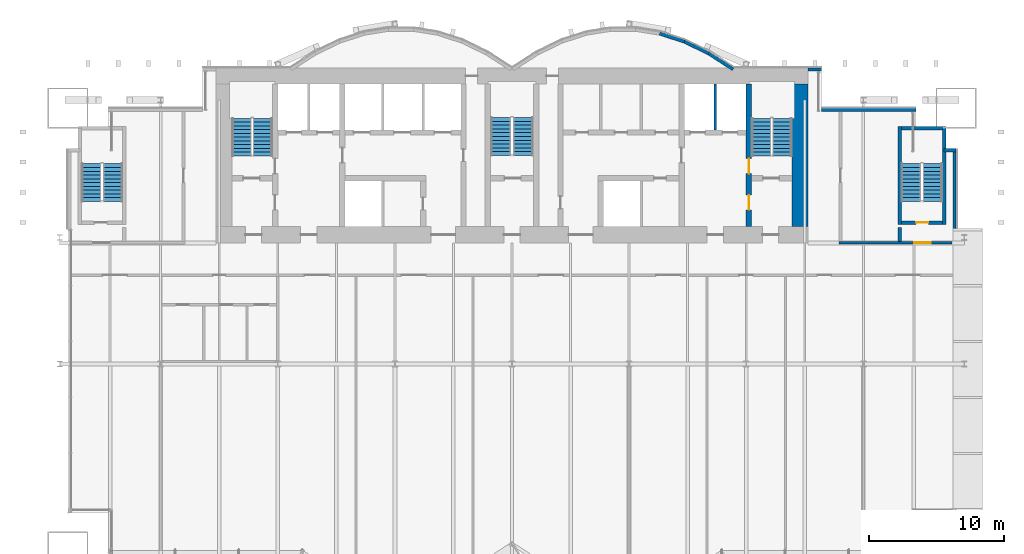
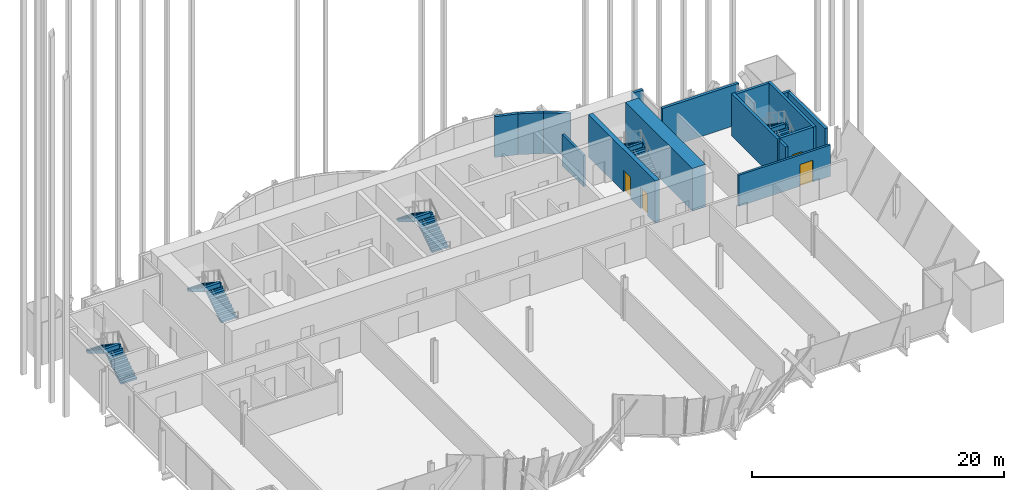
# One storey, part 20 of 22: 16 walls, 10 stair flights, 4 doors, 4 openings, 5 elements without a shape of their own.
"""IFC4 building model written with IfcOpenShell, lengths in metres."""

from ifc_helpers import new_model, si_unit, direction, frame, frame_2d, origin, place, context, subcontext, project, spatial, polyline, rectangle, outline, extrude, material, layer, layer_set, layer_usage, type_object, element, fill, aggregate, save


model = new_model("IFC4")

# Units and contexts
model_context = context("Model", 3, precision=1e-05, world=origin(), true_north=direction((0.0, 1.0)))
body_context = subcontext(model_context, "Body", "Model", "MODEL_VIEW")
ifc_project = project(units=[si_unit("LENGTHUNIT", "METRE"), si_unit("AREAUNIT", "SQUARE_METRE"), si_unit("VOLUMEUNIT", "CUBIC_METRE"), si_unit("PLANEANGLEUNIT", "RADIAN"), si_unit("MASSUNIT", "GRAM", prefix="KILO")], contexts=[model_context])

# Site, building, storey
site_placement = place(None, origin())
site = spatial("IfcSite", under=ifc_project, at=site_placement, CompositionType="ELEMENT")
building_placement = place(site_placement, origin())
building = spatial("IfcBuilding", under=site, at=building_placement, Name="Bicima Exchange Tower", CompositionType="ELEMENT")
storey_placement = place(building_placement, frame((0.0, 0.0, 89.89990234375)))
storey = spatial("IfcBuildingStorey", under=building, at=storey_placement, Name="L18", CompositionType="ELEMENT", Elevation=89.89990234375)

# Wall
ifc_material_1 = material(Name="Gypsum board partition")
ifc_layer_1 = layer(ifc_material_1, 0.199951171875)
ifc_layer_set_1 = layer_set([ifc_layer_1], Name="Gypsum board partition")
wall_type_1 = type_object("IfcWallType", Name="Fire-rated gypsum partition 200 EI120", PredefinedType="PARTITIONING", material=ifc_layer_set_1)
wall_1_placement = place(storey_placement, frame((15.10009765625, -4.60009765625, 0.0), z_axis=(0.0, 0.0, 1.0), x_axis=(0.0, 1.0, 0.0)))
element("IfcWall", 1, at=wall_1_placement, inside=storey, type_object=wall_type_1, Name="partition wall 24", PredefinedType="PARTITIONING", context=body_context, shape_type="SweptSolid", body=[
    extrude(rectangle(XDim=3.400146484375, YDim=0.199951171875, at=frame_2d((1.7001953125, 0.0))), origin(), (0.0, 0.0, 1.0), 3.018310546875),
])

# Wall, opening, door
ifc_layer_2 = layer(ifc_material_1, 0.199951171875)
ifc_layer_set_2 = layer_set([ifc_layer_2], Name="Gypsum board partition")
wall_type_2 = type_object("IfcWallType", Name="Fire-rated gypsum partition 200 EI60", PredefinedType="PARTITIONING", material=ifc_layer_set_2)
wall_2_placement = place(storey_placement, frame((24.300048828125, -13.0, 0.0), z_axis=(0.0, 0.0, 1.0), x_axis=(1.0, 0.0, 0.0)))
wall_2 = element("IfcWall", 2, at=wall_2_placement, inside=storey, type_object=wall_type_2, Name="partition wall 5", PredefinedType="PARTITIONING", context=body_context, shape_type="SweptSolid", body=[
    extrude(rectangle(XDim=8.39990234375, YDim=0.199951171875, at=frame_2d((4.199951171875, 0.0))), origin(), (0.0, 0.0, 1.0), 3.018310546875),
])
opening_1_placement = place(wall_2_placement, frame((5.60009765625, 0.0, 0.0)))
opening_1 = element("IfcOpeningElement", 3, at=opening_1_placement, cuts=wall_2, Name="Opening L18-003", PredefinedType="OPENING", context=body_context, shape_type="SweptSolid", body=[
    extrude(rectangle(XDim=1.199951171875, YDim=2.10009765625, at=frame_2d((0.60009765625, 1.050048828125))), frame((0.0, 0.11181640625, 0.0), z_axis=(0.0, -1.0, 0.0), x_axis=(1.0, 0.0, 0.0)), (0.0, 0.0, 1.0), 0.223876953125),
])
ifc_material_2 = material(Name="Steel fire door leaf", Category="steel")
door_type_1 = type_object("IfcDoorType", Name="Door 1200 swing FD30S", OperationType="SINGLE_SWING_LEFT", PredefinedType="DOOR", material=ifc_material_2)
door_1_placement = place(opening_1_placement, origin())
door_1 = element("IfcDoor", 4, at=door_1_placement, inside=storey, type_object=door_type_1, Name="Door", OperationType="SINGLE_SWING_RIGHT", OverallHeight=2.10009765625, OverallWidth=1.199951171875, PredefinedType="DOOR", context=body_context, shape_type="SweptSolid", body=[
    extrude(rectangle(XDim=1.199951171875, YDim=2.10009765625, at=frame_2d((0.60009765625, 1.050048828125))), frame((0.0, 0.02490234375, 0.0), z_axis=(0.0, -1.0, 0.0), x_axis=(1.0, 0.0, 0.0)), (0.0, 0.0, 1.0), 0.050048828125),
])
fill(opening_1, door_1)

# Walls
ifc_material_3 = material(Name="Concrete C60/75", Category="concrete")
ifc_layer_3 = layer(ifc_material_3, 1.199951171875)
ifc_layer_set_3 = layer_set([ifc_layer_3], Name="Concrete C60/75")
wall_type_3 = type_object("IfcWallType", Name="RC core wall 1200 C60/75", PredefinedType="SHEAR", material=ifc_layer_set_3)
wall_3_placement = place(storey_placement, frame((21.39990234375, -11.800048828125, 0.0), z_axis=(0.0, 0.0, 1.0), x_axis=(0.0, 1.0, 0.0)))
element("IfcWall", 5, at=wall_3_placement, inside=storey, type_object=wall_type_3, Name="Core wall east", PredefinedType="SHEAR", context=body_context, shape_type="SweptSolid", body=[
    extrude(rectangle(XDim=10.60009765625, YDim=1.199951171875, at=frame_2d((5.300048828125, 0.0))), origin(), (0.0, 0.0, 1.0), 4.10009765625),
])
ifc_material_4 = material(Name="Concrete C50/60", Category="concrete")
ifc_layer_4 = layer(ifc_material_4, 0.25)
ifc_layer_set_4 = layer_set([ifc_layer_4], Name="Concrete C50/60")
wall_type_4 = type_object("IfcWallType", Name="RC core wall 250 C50/60", PredefinedType="SHEAR", material=ifc_layer_set_4)
wall_4_placement = place(storey_placement, frame((28.800048828125, -12.89990234375, 0.0), z_axis=(0.0, 0.0, 1.0), x_axis=(0.0, 1.0, 0.0)))
element("IfcWall", 6, at=wall_4_placement, inside=storey, type_object=wall_type_4, Name="stair wall 27", PredefinedType="SHEAR", context=body_context, shape_type="SweptSolid", body=[
    extrude(rectangle(XDim=1.0498046875, YDim=0.25, at=frame_2d((0.52490234375, 0.0))), origin(), (0.0, 0.0, 1.0), 4.10009765625),
])

# Wall, openings, doors
ifc_layer_5 = layer(ifc_material_4, 0.39990234375)
ifc_layer_set_5 = layer_set([ifc_layer_5], Name="Concrete C50/60")
wall_type_5 = type_object("IfcWallType", Name="RC core wall 400 C50/60", PredefinedType="SHEAR", material=ifc_layer_set_5)
wall_5_placement = place(storey_placement, frame((17.60009765625, -11.800048828125, 0.0), z_axis=(0.0, 0.0, 1.0), x_axis=(0.0, 1.0, 0.0)))
wall_5 = element("IfcWall", 7, at=wall_5_placement, inside=storey, type_object=wall_type_5, Name="stair wall 25", PredefinedType="SHEAR", context=body_context, shape_type="SweptSolid", body=[
    extrude(rectangle(XDim=10.60009765625, YDim=0.39990234375, at=frame_2d((5.300048828125, 0.0))), origin(), (0.0, 0.0, 1.0), 4.10009765625),
])
opening_2_placement = place(wall_5_placement, frame((1.25, 0.0, 0.0)))
opening_2 = element("IfcOpeningElement", 8, at=opening_2_placement, cuts=wall_5, Name="Opening L18-C05", PredefinedType="OPENING", context=body_context, shape_type="SweptSolid", body=[
    extrude(rectangle(XDim=1.10009765625, YDim=2.10009765625, at=frame_2d((0.550048828125, 1.050048828125))), frame((0.0, 0.2119140625, 0.0), z_axis=(0.0, -1.0, 0.0), x_axis=(1.0, 0.0, 0.0)), (0.0, 0.0, 1.0), 0.423828125),
])
opening_3_placement = place(wall_5_placement, frame((3.949951171875, 0.0, 0.0)))
opening_3 = element("IfcOpeningElement", 9, at=opening_3_placement, cuts=wall_5, Name="Opening L18-C08", PredefinedType="OPENING", context=body_context, shape_type="SweptSolid", body=[
    extrude(rectangle(XDim=1.10009765625, YDim=2.10009765625, at=frame_2d((0.550048828125, 1.050048828125))), frame((0.0, 0.2119140625, 0.0), z_axis=(0.0, -1.0, 0.0), x_axis=(1.0, 0.0, 0.0)), (0.0, 0.0, 1.0), 0.423828125),
])
door_type_2 = type_object("IfcDoorType", Name="Door 1100 swing FD60S", OperationType="SINGLE_SWING_LEFT", PredefinedType="DOOR", material=ifc_material_2)
door_2_placement = place(opening_2_placement, origin())
door_2 = element("IfcDoor", 10, at=door_2_placement, inside=storey, type_object=door_type_2, Name="Core door", OperationType="SINGLE_SWING_LEFT", OverallHeight=2.10009765625, OverallWidth=1.10009765625, PredefinedType="DOOR", context=body_context, shape_type="SweptSolid", body=[
    extrude(rectangle(XDim=1.10009765625, YDim=2.10009765625, at=frame_2d((0.550048828125, 1.050048828125))), frame((0.0, 0.02490234375, 0.0), z_axis=(0.0, -1.0, 0.0), x_axis=(1.0, 0.0, 0.0)), (0.0, 0.0, 1.0), 0.050048828125),
])
fill(opening_2, door_2)
door_3_placement = place(opening_3_placement, origin())
door_3 = element("IfcDoor", 11, at=door_3_placement, inside=storey, type_object=door_type_2, Name="Core door", OperationType="SINGLE_SWING_RIGHT", OverallHeight=2.10009765625, OverallWidth=1.10009765625, PredefinedType="DOOR", context=body_context, shape_type="SweptSolid", body=[
    extrude(rectangle(XDim=1.10009765625, YDim=2.10009765625, at=frame_2d((0.550048828125, 1.050048828125))), frame((0.0, 0.02490234375, 0.0), z_axis=(0.0, -1.0, 0.0), x_axis=(1.0, 0.0, 0.0)), (0.0, 0.0, 1.0), 0.050048828125),
])
fill(opening_3, door_3)

# Walls
ifc_layer_6 = layer(ifc_material_4, 0.25)
ifc_layer_set_6 = layer_set([ifc_layer_6], Name="Concrete C50/60")
wall_type_6 = type_object("IfcWallType", Name="RC stair enclosure wall 250 C50/60", PredefinedType="SHEAR", material=ifc_layer_set_6)
for number, where, z_axis, x_axis, name in (
    (12, (28.800048828125, -11.625, 0.0), (0.0, 0.0, 1.0), (0.0, 1.0, 0.0), "East end exit stair wall W"),
    (13, (32.10009765625, -11.625, 0.0), (0.0, 0.0, 1.0), (0.0, 1.0, 0.0), "East end exit stair wall E"),
):
    element("IfcWall", number, at=place(storey_placement, frame(where, z_axis=z_axis, x_axis=x_axis)), inside=storey, type_object=wall_type_6, Name=name, PredefinedType="SHEAR", context=body_context, shape_type="SweptSolid", body=[
        extrude(rectangle(XDim=7.25, YDim=0.25, at=frame_2d((3.625, 0.0))), origin(), (0.0, 0.0, 1.0), 4.10009765625),
    ])

# Wall, opening, door
wall_6_placement = place(storey_placement, frame((28.925048828125, -11.5, 0.0), z_axis=(0.0, 0.0, 1.0), x_axis=(1.0, 0.0, 0.0)))
wall_6 = element("IfcWall", 14, at=wall_6_placement, inside=storey, type_object=wall_type_6, Name="East end exit stair wall S", PredefinedType="SHEAR", context=body_context, shape_type="SweptSolid", body=[
    extrude(rectangle(XDim=3.050048828125, YDim=0.25, at=frame_2d((1.52490234375, 0.0))), origin(), (0.0, 0.0, 1.0), 4.10009765625),
])
opening_4_placement = place(wall_6_placement, frame((1.10009765625, 0.0, 0.0)))
opening_4 = element("IfcOpeningElement", 15, at=opening_4_placement, cuts=wall_6, Name="Opening L18-004", PredefinedType="OPENING", context=body_context, shape_type="SweptSolid", body=[
    extrude(rectangle(XDim=0.89990234375, YDim=2.10009765625, at=frame_2d((0.449951171875, 1.050048828125))), frame((0.0, 0.136962890625, 0.0), z_axis=(0.0, -1.0, 0.0), x_axis=(1.0, 0.0, 0.0)), (0.0, 0.0, 1.0), 0.27392578125),
])
door_type_3 = type_object("IfcDoorType", Name="Door 900 swing FD60S", OperationType="SINGLE_SWING_LEFT", PredefinedType="DOOR", material=ifc_material_2)
door_4_placement = place(opening_4_placement, origin())
door_4 = element("IfcDoor", 16, at=door_4_placement, inside=storey, type_object=door_type_3, Name="Door", OperationType="SINGLE_SWING_LEFT", OverallHeight=2.10009765625, OverallWidth=0.89990234375, PredefinedType="DOOR", context=body_context, shape_type="SweptSolid", body=[
    extrude(rectangle(XDim=0.89990234375, YDim=2.10009765625, at=frame_2d((0.449951171875, 1.050048828125))), frame((0.0, 0.02490234375, 0.0), z_axis=(0.0, -1.0, 0.0), x_axis=(1.0, 0.0, 0.0)), (0.0, 0.0, 1.0), 0.050048828125),
])
fill(opening_4, door_4)

# Walls
wall_7_placement = place(storey_placement, frame((28.925048828125, -4.5, 0.0), z_axis=(0.0, 0.0, 1.0), x_axis=(1.0, 0.0, 0.0)))
element("IfcWall", 17, at=wall_7_placement, inside=storey, type_object=wall_type_6, Name="East end exit stair wall N", PredefinedType="SHEAR", context=body_context, shape_type="SweptSolid", body=[
    extrude(rectangle(XDim=3.050048828125, YDim=0.25, at=frame_2d((1.52490234375, 0.0))), origin(), (0.0, 0.0, 1.0), 4.10009765625),
])
ifc_material_5 = material(Name="Concrete C40/50", Category="concrete")
ifc_layer_7 = layer(ifc_material_5, 0.25)
ifc_layer_set_7 = layer_set([ifc_layer_7], Name="Concrete C40/50")
ifc_layer_usage = layer_usage(ifc_layer_set_7, "AXIS2", "POSITIVE", -0.125)
wall_type_7 = type_object("IfcWallType", Name="Rear backup wall 250", PredefinedType="STANDARD", material=ifc_layer_set_7)
wall_8_placement = place(storey_placement, frame((32.875, -12.090087890625, 0.0), z_axis=(0.0, 0.0, 1.0), x_axis=(0.0, 1.0, 0.0)))
element("IfcWall", 18, at=wall_8_placement, inside=storey, type_object=wall_type_7, material=ifc_layer_usage, Name="Rear backup wall L18 2", PredefinedType="STANDARD", context=body_context, shape_type="SweptSolid", body=[
    extrude(rectangle(XDim=6.090087890625, YDim=0.25, at=frame_2d((3.044921875, 0.0))), origin(), (0.0, 0.0, 1.0), 3.9501953125),
])
wall_9_placement = place(storey_placement, frame((33.0, -6.125, 0.0), z_axis=(0.0, 0.0, 1.0), x_axis=(-1.0, 0.0, 0.0)))
element("IfcWall", 19, at=wall_9_placement, inside=storey, type_object=wall_type_7, material=ifc_layer_usage, Name="Rear backup wall L18 3", PredefinedType="STANDARD", context=body_context, shape_type="SweptSolid", body=[
    extrude(rectangle(XDim=0.889892578125, YDim=0.25, at=frame_2d((0.44482421875, 0.0))), origin(), (0.0, 0.0, 1.0), 3.9501953125),
])
wall_10_placement = place(storey_placement, frame((30.0, -3.125, 0.0), z_axis=(0.0, 0.0, 1.0), x_axis=(-1.0, 0.0, 0.0)))
element("IfcWall", 20, at=wall_10_placement, inside=storey, type_object=wall_type_7, material=ifc_layer_usage, Name="Rear backup wall L18 5", PredefinedType="STANDARD", context=body_context, shape_type="SweptSolid", body=[
    extrude(rectangle(XDim=7.0, YDim=0.25, at=frame_2d((3.5, 0.0))), origin(), (0.0, 0.0, 1.0), 3.9501953125),
])
wall_11_placement = place(storey_placement, frame((23.0, -0.125, 0.0), z_axis=(0.0, 0.0, 1.0), x_axis=(-1.0, 0.0, 0.0)))
element("IfcWall", 21, at=wall_11_placement, inside=storey, type_object=wall_type_7, material=ifc_layer_usage, Name="Rear backup wall L18 7", PredefinedType="STANDARD", context=body_context, shape_type="SweptSolid", body=[
    extrude(rectangle(XDim=1.0, YDim=0.25, at=frame_2d((0.5, 0.0))), origin(), (0.0, 0.0, 1.0), 3.9501953125),
])
wall_12_placement = place(storey_placement, frame((16.43212890625, -0.10498046875, 0.0), z_axis=(0.0, 0.0, 1.0), x_axis=(-0.83981312244, 0.542875602121, 0.0)))
element("IfcWall", 22, at=wall_12_placement, inside=storey, type_object=wall_type_7, material=ifc_layer_usage, Name="Rear backup wall L18 8", PredefinedType="STANDARD", context=body_context, shape_type="SweptSolid", body=[
    extrude(rectangle(XDim=2.182861328125, YDim=0.25, at=frame_2d((1.09130859375, 0.0))), origin(), (0.0, 0.0, 1.0), 3.9501953125),
])
wall_13_placement = place(storey_placement, frame((14.6123046875, 1.07275390625, 0.0), z_axis=(0.0, 0.0, 1.0), x_axis=(-0.89982408427, 0.436252928206, 0.0)))
element("IfcWall", 23, at=wall_13_placement, inside=storey, type_object=wall_type_7, material=ifc_layer_usage, Name="Rear backup wall L18 9", PredefinedType="STANDARD", context=body_context, shape_type="SweptSolid", body=[
    extrude(rectangle(XDim=2.03759765625, YDim=0.25, at=frame_2d((1.018798828125, 0.0))), origin(), (0.0, 0.0, 1.0), 3.9501953125),
])
wall_14_placement = place(storey_placement, frame((12.794921875, 1.955078125, 0.0), z_axis=(0.0, 0.0, 1.0), x_axis=(-0.951495806175, 0.307661714928, 0.0)))
element("IfcWall", 24, at=wall_14_placement, inside=storey, type_object=wall_type_7, material=ifc_layer_usage, Name="Rear backup wall L18 10", PredefinedType="STANDARD", context=body_context, shape_type="SweptSolid", body=[
    extrude(rectangle(XDim=1.9267578125, YDim=0.25, at=frame_2d((0.96337890625, 0.0))), origin(), (0.0, 0.0, 1.0), 3.9501953125),
])

# Stair, stair flights
stair_type_1 = type_object("IfcStairType", Name="Exit stair", PredefinedType="HALF_TURN_STAIR", material=ifc_material_4)
stair_1_placement = place(storey_placement, origin())
stair_1 = element("IfcStair", 25, at=stair_1_placement, inside=storey, type_object=stair_type_1, Name="L18 West exit stair", PredefinedType="HALF_TURN_STAIR")
stair_flight_type_1 = type_object("IfcStairFlightType", Name="Stair flight RC", PredefinedType="STRAIGHT", material=ifc_material_4)
stair_flight_1_placement = place(storey_placement, frame((-18.52490234375, -6.550048828125, 0.0), z_axis=(0.0, 0.0, 1.0), x_axis=(0.0, 1.0, 0.0)))
stair_flight_1 = element("IfcStairFlight", 26, at=stair_flight_1_placement, type_object=stair_flight_type_1, Name="ST-W flight 1", NumberOfRisers=11, NumberOfTreads=10, PredefinedType="STRAIGHT", RiserHeight=0.186363636, TreadLength=0.28, context=body_context, shape_type="SweptSolid", body=[
    extrude(outline(polyline([(0.0, 0.0), (0.0, 0.186279296875), (0.280029296875, 0.186279296875), (0.280029296875, 0.372802734375), (0.56005859375, 0.372802734375), (0.56005859375, 0.55908203125), (0.840087890625, 0.55908203125), (0.840087890625, 0.745361328125), (1.1201171875, 0.745361328125), (1.1201171875, 0.931884765625), (1.39990234375, 0.931884765625), (1.39990234375, 1.1181640625), (1.679931640625, 1.1181640625), (1.679931640625, 1.304443359375), (1.9599609375, 1.304443359375), (1.9599609375, 1.490966796875), (2.239990234375, 1.490966796875), (2.239990234375, 1.67724609375), (2.52001953125, 1.67724609375), (2.52001953125, 1.863525390625), (2.800048828125, 1.863525390625), (2.800048828125, 2.050048828125), (2.800048828125, 1.68359375), (0.2705078125, 0.0), (0.0, 0.0)])), frame((0.0, 0.72509765625, 0.0), z_axis=(0.0, -1.0, 0.0), x_axis=(1.0, 0.0, 0.0)), (0.0, 0.0, 1.0), 1.449951171875),
])
stair_flight_2_placement = place(storey_placement, frame((-20.074951171875, -3.75, 2.050048828125), z_axis=(0.0, 0.0, 1.0), x_axis=(0.0, -1.0, 0.0)))
stair_flight_2 = element("IfcStairFlight", 27, at=stair_flight_2_placement, type_object=stair_flight_type_1, Name="ST-W flight 2", NumberOfRisers=11, NumberOfTreads=10, PredefinedType="STRAIGHT", RiserHeight=0.186363636, TreadLength=0.28, context=body_context, shape_type="SweptSolid", body=[
    extrude(outline(polyline([(0.0, 0.0), (0.0, 0.186279296875), (0.280029296875, 0.186279296875), (0.280029296875, 0.372802734375), (0.56005859375, 0.372802734375), (0.56005859375, 0.55908203125), (0.840087890625, 0.55908203125), (0.840087890625, 0.745361328125), (1.1201171875, 0.745361328125), (1.1201171875, 0.931884765625), (1.39990234375, 0.931884765625), (1.39990234375, 1.1181640625), (1.679931640625, 1.1181640625), (1.679931640625, 1.304443359375), (1.9599609375, 1.304443359375), (1.9599609375, 1.490966796875), (2.239990234375, 1.490966796875), (2.239990234375, 1.67724609375), (2.52001953125, 1.67724609375), (2.52001953125, 1.863525390625), (2.800048828125, 1.863525390625), (2.800048828125, 1.904052734375), (2.81494140625, 1.904052734375), (2.81494140625, 1.507080078125), (0.2705078125, 0.0), (0.0, 0.0)])), frame((0.0, 0.72509765625, 0.0), z_axis=(0.0, -1.0, 0.0), x_axis=(1.0, 0.0, 0.0)), (0.0, 0.0, 1.0), 1.449951171875),
])
aggregate(stair_1, [stair_flight_1, stair_flight_2])

stair_2_placement = place(storey_placement, origin())
stair_2 = element("IfcStair", 28, at=stair_2_placement, inside=storey, type_object=stair_type_1, Name="L18 East exit stair", PredefinedType="HALF_TURN_STAIR")
stair_flight_3_placement = place(storey_placement, frame((20.074951171875, -6.550048828125, 0.0), z_axis=(0.0, 0.0, 1.0), x_axis=(0.0, 1.0, 0.0)))
stair_flight_3 = element("IfcStairFlight", 29, at=stair_flight_3_placement, type_object=stair_flight_type_1, Name="ST-E flight 1", NumberOfRisers=11, NumberOfTreads=10, PredefinedType="STRAIGHT", RiserHeight=0.186363636, TreadLength=0.28, context=body_context, shape_type="SweptSolid", body=[
    extrude(outline(polyline([(0.0, 0.0), (0.0, 0.186279296875), (0.280029296875, 0.186279296875), (0.280029296875, 0.372802734375), (0.56005859375, 0.372802734375), (0.56005859375, 0.55908203125), (0.840087890625, 0.55908203125), (0.840087890625, 0.745361328125), (1.1201171875, 0.745361328125), (1.1201171875, 0.931884765625), (1.39990234375, 0.931884765625), (1.39990234375, 1.1181640625), (1.679931640625, 1.1181640625), (1.679931640625, 1.304443359375), (1.9599609375, 1.304443359375), (1.9599609375, 1.490966796875), (2.239990234375, 1.490966796875), (2.239990234375, 1.67724609375), (2.52001953125, 1.67724609375), (2.52001953125, 1.863525390625), (2.800048828125, 1.863525390625), (2.800048828125, 2.050048828125), (2.800048828125, 1.68359375), (0.2705078125, 0.0), (0.0, 0.0)])), frame((0.0, 0.72509765625, 0.0), z_axis=(0.0, -1.0, 0.0), x_axis=(1.0, 0.0, 0.0)), (0.0, 0.0, 1.0), 1.449951171875),
])
stair_flight_4_placement = place(storey_placement, frame((18.52490234375, -3.75, 2.050048828125), z_axis=(0.0, 0.0, 1.0), x_axis=(0.0, -1.0, 0.0)))
stair_flight_4 = element("IfcStairFlight", 30, at=stair_flight_4_placement, type_object=stair_flight_type_1, Name="ST-E flight 2", NumberOfRisers=11, NumberOfTreads=10, PredefinedType="STRAIGHT", RiserHeight=0.186363636, TreadLength=0.28, context=body_context, shape_type="SweptSolid", body=[
    extrude(outline(polyline([(0.0, 0.0), (0.0, 0.186279296875), (0.280029296875, 0.186279296875), (0.280029296875, 0.372802734375), (0.56005859375, 0.372802734375), (0.56005859375, 0.55908203125), (0.840087890625, 0.55908203125), (0.840087890625, 0.745361328125), (1.1201171875, 0.745361328125), (1.1201171875, 0.931884765625), (1.39990234375, 0.931884765625), (1.39990234375, 1.1181640625), (1.679931640625, 1.1181640625), (1.679931640625, 1.304443359375), (1.9599609375, 1.304443359375), (1.9599609375, 1.490966796875), (2.239990234375, 1.490966796875), (2.239990234375, 1.67724609375), (2.52001953125, 1.67724609375), (2.52001953125, 1.863525390625), (2.800048828125, 1.863525390625), (2.800048828125, 1.904052734375), (2.81494140625, 1.904052734375), (2.81494140625, 1.507080078125), (0.2705078125, 0.0), (0.0, 0.0)])), frame((0.0, 0.72509765625, 0.0), z_axis=(0.0, -1.0, 0.0), x_axis=(1.0, 0.0, 0.0)), (0.0, 0.0, 1.0), 1.449951171875),
])
aggregate(stair_2, [stair_flight_3, stair_flight_4])

stair_3_placement = place(storey_placement, origin())
stair_3 = element("IfcStair", 31, at=stair_3_placement, inside=storey, type_object=stair_type_1, Name="L18 West end exit stair", PredefinedType="HALF_TURN_STAIR")
stair_flight_5_placement = place(storey_placement, frame((-29.64990234375, -9.925048828125, 0.0), z_axis=(0.0, 0.0, 1.0), x_axis=(0.0, 1.0, 0.0)))
stair_flight_5 = element("IfcStairFlight", 32, at=stair_flight_5_placement, type_object=stair_flight_type_1, Name="ST-WW flight 1", NumberOfRisers=11, NumberOfTreads=10, PredefinedType="STRAIGHT", RiserHeight=0.186363636, TreadLength=0.28, context=body_context, shape_type="SweptSolid", body=[
    extrude(outline(polyline([(0.0, 0.0), (0.0, 0.186279296875), (0.280029296875, 0.186279296875), (0.280029296875, 0.372802734375), (0.56005859375, 0.372802734375), (0.56005859375, 0.55908203125), (0.840087890625, 0.55908203125), (0.840087890625, 0.745361328125), (1.1201171875, 0.745361328125), (1.1201171875, 0.931884765625), (1.39990234375, 0.931884765625), (1.39990234375, 1.1181640625), (1.679931640625, 1.1181640625), (1.679931640625, 1.304443359375), (1.9599609375, 1.304443359375), (1.9599609375, 1.490966796875), (2.239990234375, 1.490966796875), (2.239990234375, 1.67724609375), (2.52001953125, 1.67724609375), (2.52001953125, 1.863525390625), (2.800048828125, 1.863525390625), (2.800048828125, 2.050048828125), (2.800048828125, 1.68359375), (0.2705078125, 0.0), (0.0, 0.0)])), frame((0.0, 0.72509765625, 0.0), z_axis=(0.0, -1.0, 0.0), x_axis=(1.0, 0.0, 0.0)), (0.0, 0.0, 1.0), 1.449951171875),
])
stair_flight_6_placement = place(storey_placement, frame((-31.25, -7.125, 2.050048828125), z_axis=(0.0, 0.0, 1.0), x_axis=(0.0, -1.0, 0.0)))
stair_flight_6 = element("IfcStairFlight", 33, at=stair_flight_6_placement, type_object=stair_flight_type_1, Name="ST-WW flight 2", NumberOfRisers=11, NumberOfTreads=10, PredefinedType="STRAIGHT", RiserHeight=0.186363636, TreadLength=0.28, context=body_context, shape_type="SweptSolid", body=[
    extrude(outline(polyline([(0.0, 0.0), (0.0, 0.186279296875), (0.280029296875, 0.186279296875), (0.280029296875, 0.372802734375), (0.56005859375, 0.372802734375), (0.56005859375, 0.55908203125), (0.840087890625, 0.55908203125), (0.840087890625, 0.745361328125), (1.1201171875, 0.745361328125), (1.1201171875, 0.931884765625), (1.39990234375, 0.931884765625), (1.39990234375, 1.1181640625), (1.679931640625, 1.1181640625), (1.679931640625, 1.304443359375), (1.9599609375, 1.304443359375), (1.9599609375, 1.490966796875), (2.239990234375, 1.490966796875), (2.239990234375, 1.67724609375), (2.52001953125, 1.67724609375), (2.52001953125, 1.863525390625), (2.800048828125, 1.863525390625), (2.800048828125, 1.904052734375), (2.81494140625, 1.904052734375), (2.81494140625, 1.507080078125), (0.2705078125, 0.0), (0.0, 0.0)])), frame((0.0, 0.72509765625, 0.0), z_axis=(0.0, -1.0, 0.0), x_axis=(1.0, 0.0, 0.0)), (0.0, 0.0, 1.0), 1.449951171875),
])
aggregate(stair_3, [stair_flight_5, stair_flight_6])

stair_4_placement = place(storey_placement, origin())
stair_4 = element("IfcStair", 34, at=stair_4_placement, inside=storey, type_object=stair_type_1, Name="L18 East end exit stair", PredefinedType="HALF_TURN_STAIR")
stair_flight_7_placement = place(storey_placement, frame((31.25, -9.925048828125, 0.0), z_axis=(0.0, 0.0, 1.0), x_axis=(0.0, 1.0, 0.0)))
stair_flight_7 = element("IfcStairFlight", 35, at=stair_flight_7_placement, type_object=stair_flight_type_1, Name="ST-EE flight 1", NumberOfRisers=11, NumberOfTreads=10, PredefinedType="STRAIGHT", RiserHeight=0.186363636, TreadLength=0.28, context=body_context, shape_type="SweptSolid", body=[
    extrude(outline(polyline([(0.0, 0.0), (0.0, 0.186279296875), (0.280029296875, 0.186279296875), (0.280029296875, 0.372802734375), (0.56005859375, 0.372802734375), (0.56005859375, 0.55908203125), (0.840087890625, 0.55908203125), (0.840087890625, 0.745361328125), (1.1201171875, 0.745361328125), (1.1201171875, 0.931884765625), (1.39990234375, 0.931884765625), (1.39990234375, 1.1181640625), (1.679931640625, 1.1181640625), (1.679931640625, 1.304443359375), (1.9599609375, 1.304443359375), (1.9599609375, 1.490966796875), (2.239990234375, 1.490966796875), (2.239990234375, 1.67724609375), (2.52001953125, 1.67724609375), (2.52001953125, 1.863525390625), (2.800048828125, 1.863525390625), (2.800048828125, 2.050048828125), (2.800048828125, 1.68359375), (0.2705078125, 0.0), (0.0, 0.0)])), frame((0.0, 0.72509765625, 0.0), z_axis=(0.0, -1.0, 0.0), x_axis=(1.0, 0.0, 0.0)), (0.0, 0.0, 1.0), 1.449951171875),
])
stair_flight_8_placement = place(storey_placement, frame((29.64990234375, -7.125, 2.050048828125), z_axis=(0.0, 0.0, 1.0), x_axis=(0.0, -1.0, 0.0)))
stair_flight_8 = element("IfcStairFlight", 36, at=stair_flight_8_placement, type_object=stair_flight_type_1, Name="ST-EE flight 2", NumberOfRisers=11, NumberOfTreads=10, PredefinedType="STRAIGHT", RiserHeight=0.186363636, TreadLength=0.28, context=body_context, shape_type="SweptSolid", body=[
    extrude(outline(polyline([(0.0, 0.0), (0.0, 0.186279296875), (0.280029296875, 0.186279296875), (0.280029296875, 0.372802734375), (0.56005859375, 0.372802734375), (0.56005859375, 0.55908203125), (0.840087890625, 0.55908203125), (0.840087890625, 0.745361328125), (1.1201171875, 0.745361328125), (1.1201171875, 0.931884765625), (1.39990234375, 0.931884765625), (1.39990234375, 1.1181640625), (1.679931640625, 1.1181640625), (1.679931640625, 1.304443359375), (1.9599609375, 1.304443359375), (1.9599609375, 1.490966796875), (2.239990234375, 1.490966796875), (2.239990234375, 1.67724609375), (2.52001953125, 1.67724609375), (2.52001953125, 1.863525390625), (2.800048828125, 1.863525390625), (2.800048828125, 1.904052734375), (2.81494140625, 1.904052734375), (2.81494140625, 1.507080078125), (0.2705078125, 0.0), (0.0, 0.0)])), frame((0.0, 0.72509765625, 0.0), z_axis=(0.0, -1.0, 0.0), x_axis=(1.0, 0.0, 0.0)), (0.0, 0.0, 1.0), 1.449951171875),
])
aggregate(stair_4, [stair_flight_7, stair_flight_8])

stair_type_2 = type_object("IfcStairType", Name="Exit stair 1500", PredefinedType="HALF_TURN_STAIR", material=ifc_material_4)
stair_5_placement = place(storey_placement, origin())
stair_5 = element("IfcStair", 37, at=stair_5_placement, inside=storey, type_object=stair_type_2, Name="L18 Central exit stair", PredefinedType="HALF_TURN_STAIR")
stair_flight_type_2 = type_object("IfcStairFlightType", Name="Stair flight RC 1500", PredefinedType="STRAIGHT", material=ifc_material_4)
stair_flight_9_placement = place(storey_placement, frame((0.824951171875, -6.5, 0.0), z_axis=(0.0, 0.0, 1.0), x_axis=(0.0, 1.0, 0.0)))
stair_flight_9 = element("IfcStairFlight", 38, at=stair_flight_9_placement, type_object=stair_flight_type_2, Name="ST-C flight 1", NumberOfRisers=11, NumberOfTreads=10, PredefinedType="STRAIGHT", RiserHeight=0.186363636, TreadLength=0.28, context=body_context, shape_type="SweptSolid", body=[
    extrude(outline(polyline([(0.0, 0.0), (0.0, 0.186279296875), (0.280029296875, 0.186279296875), (0.280029296875, 0.372802734375), (0.56005859375, 0.372802734375), (0.56005859375, 0.55908203125), (0.840087890625, 0.55908203125), (0.840087890625, 0.745361328125), (1.1201171875, 0.745361328125), (1.1201171875, 0.931884765625), (1.39990234375, 0.931884765625), (1.39990234375, 1.1181640625), (1.679931640625, 1.1181640625), (1.679931640625, 1.304443359375), (1.9599609375, 1.304443359375), (1.9599609375, 1.490966796875), (2.239990234375, 1.490966796875), (2.239990234375, 1.67724609375), (2.52001953125, 1.67724609375), (2.52001953125, 1.863525390625), (2.800048828125, 1.863525390625), (2.800048828125, 2.050048828125), (2.800048828125, 1.68359375), (0.2705078125, 0.0), (0.0, 0.0)])), frame((0.0, 0.75, 0.0), z_axis=(0.0, -1.0, 0.0), x_axis=(1.0, 0.0, 0.0)), (0.0, 0.0, 1.0), 1.5),
])
stair_flight_10_placement = place(storey_placement, frame((-0.824951171875, -3.699951171875, 2.050048828125), z_axis=(0.0, 0.0, 1.0), x_axis=(0.0, -1.0, 0.0)))
stair_flight_10 = element("IfcStairFlight", 39, at=stair_flight_10_placement, type_object=stair_flight_type_2, Name="ST-C flight 2", NumberOfRisers=11, NumberOfTreads=10, PredefinedType="STRAIGHT", RiserHeight=0.186363636, TreadLength=0.28, context=body_context, shape_type="SweptSolid", body=[
    extrude(outline(polyline([(0.0, 0.0), (0.0, 0.186279296875), (0.280029296875, 0.186279296875), (0.280029296875, 0.372802734375), (0.56005859375, 0.372802734375), (0.56005859375, 0.55908203125), (0.840087890625, 0.55908203125), (0.840087890625, 0.745361328125), (1.1201171875, 0.745361328125), (1.1201171875, 0.931884765625), (1.39990234375, 0.931884765625), (1.39990234375, 1.1181640625), (1.679931640625, 1.1181640625), (1.679931640625, 1.304443359375), (1.9599609375, 1.304443359375), (1.9599609375, 1.490966796875), (2.239990234375, 1.490966796875), (2.239990234375, 1.67724609375), (2.52001953125, 1.67724609375), (2.52001953125, 1.863525390625), (2.800048828125, 1.863525390625), (2.800048828125, 1.904052734375), (2.81494140625, 1.904052734375), (2.81494140625, 1.507080078125), (0.2705078125, 0.0), (0.0, 0.0)])), frame((0.0, 0.75, 0.0), z_axis=(0.0, -1.0, 0.0), x_axis=(1.0, 0.0, 0.0)), (0.0, 0.0, 1.0), 1.5),
])
aggregate(stair_5, [stair_flight_9, stair_flight_10])

save(model, "model.ifc")
